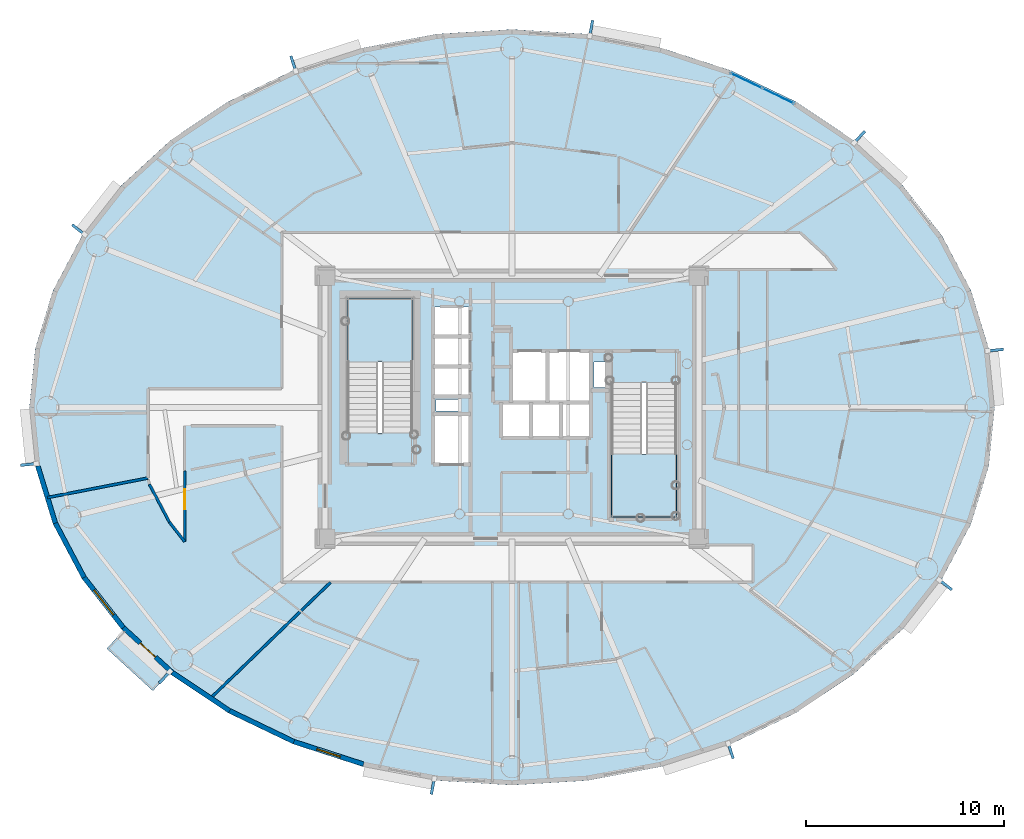
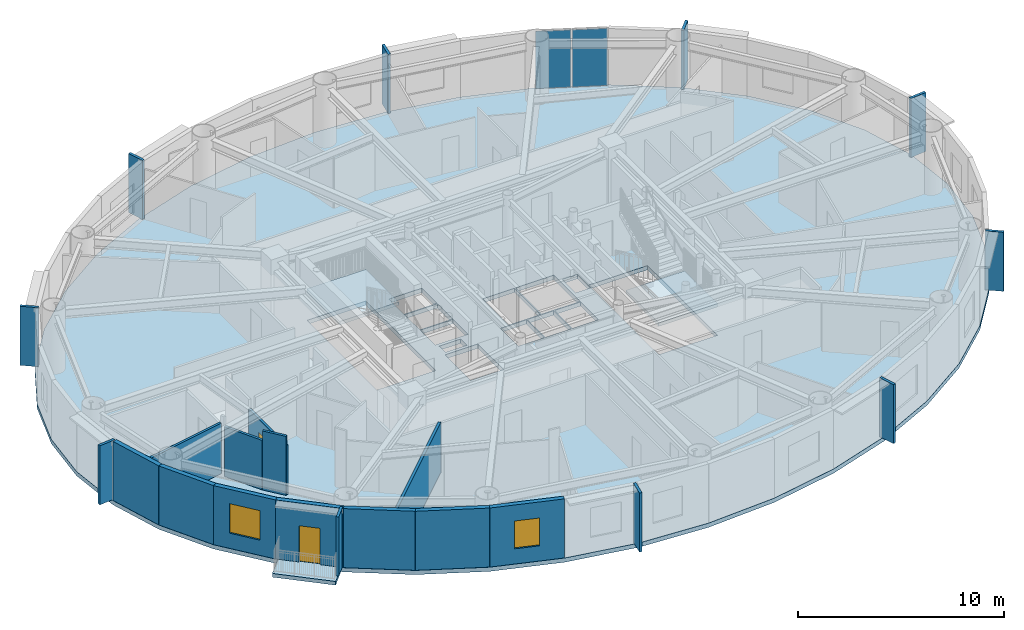
# One storey, part 5 of 16: 12 plates, 12 walls, 4 slabs, 2 doors, 2 windows, 4 openings, 3 elements without a shape of their own.
"""IFC4 building model written with IfcOpenShell, lengths in metres."""

from ifc_helpers import new_model, si_unit, direction, frame, frame_2d, origin, origin_2d, place, context, subcontext, project, spatial, polyline, rectangle, outline, extrude, source, transform, mapped, material, layer, layer_set, type_object, element, fill, aggregate, save


model = new_model("IFC4")

# Units and contexts
model_context = context("Model", 3, precision=1e-05, world=origin(), true_north=direction((0.0, 1.0)))
body_context = subcontext(model_context, "Body", "Model", "MODEL_VIEW")
ifc_project = project(units=[si_unit("LENGTHUNIT", "METRE"), si_unit("AREAUNIT", "SQUARE_METRE"), si_unit("VOLUMEUNIT", "CUBIC_METRE"), si_unit("PLANEANGLEUNIT", "RADIAN"), si_unit("MASSUNIT", "GRAM", prefix="KILO")], contexts=[model_context])

# Site, building, storey
site_placement = place(None, origin())
site = spatial("IfcSite", under=ifc_project, at=site_placement, CompositionType="ELEMENT")
building_placement = place(site_placement, origin())
building = spatial("IfcBuilding", under=site, at=building_placement, Name="Linh Dai School and Residence Tower", CompositionType="ELEMENT")
storey_placement = place(building_placement, frame((0.0, 0.0, 255.300048828125)))
storey = spatial("IfcBuildingStorey", under=building, at=storey_placement, Name="L63", CompositionType="ELEMENT", Elevation=255.300048828125)

# Slabs
ifc_material_1 = material(Name="Concrete B45 (C35/45)", Category="concrete")
ifc_layer_1 = layer(ifc_material_1, 0.219970703125)
ifc_layer_set_1 = layer_set([ifc_layer_1], Name="Concrete B45 (C35/45)")
slab_type_1 = type_object("IfcSlabType", Name="SLB-BALC-220", PredefinedType="FLOOR", material=ifc_layer_set_1)
slab_1_placement = place(storey_placement, frame((0.0, 0.0, -0.219970703125)))
element("IfcSlab", 1, at=slab_1_placement, inside=storey, type_object=slab_type_1, Name="L63 Sliding Balcony Slab 25", PredefinedType="FLOOR", context=body_context, shape_type="SweptSolid", body=[
    extrude(outline(polyline([(18.719482421875, 13.62353515625), (16.39501953125, 15.754638671875), (15.516357421875, 14.79638671875), (17.841064453125, 12.665283203125), (18.719482421875, 13.62353515625)])), origin(), (0.0, 0.0, 1.0), 0.219970703125),
])
ifc_layer_2 = layer(ifc_material_1, 0.25)
ifc_layer_set_2 = layer_set([ifc_layer_2], Name="Concrete B45 (C35/45)")
slab_type_2 = type_object("IfcSlabType", Name="SLB-FLR250", PredefinedType="FLOOR", material=ifc_layer_set_2)
slab_2_placement = place(storey_placement, frame((0.0, 0.0, -0.25)))
element("IfcSlab", 2, at=slab_2_placement, inside=storey, type_object=slab_type_2, Name="L63 Composite Structural Floor Slab", PredefinedType="FLOOR", context=body_context, shape_type="SweptSolid", body=[
    extrude(outline(polyline([(60.39990234375, 27.0), (60.099609375, 29.98876953125), (59.205810546875, 32.90380859375), (57.740478515625, 35.673583984375), (55.739990234375, 38.229736328125), (53.25341796875, 40.50927734375), (50.342041015625, 42.456298828125), (47.077392578125, 44.022705078125), (43.5400390625, 45.169921875), (39.81689453125, 45.869873046875), (36.0, 46.10498046875), (32.18310546875, 45.869873046875), (28.4599609375, 45.169921875), (24.922607421875, 44.022705078125), (21.657958984375, 42.456298828125), (18.74658203125, 40.50927734375), (16.260009765625, 38.229736328125), (14.259521484375, 35.673583984375), (12.794189453125, 32.90380859375), (11.900390625, 29.98876953125), (11.60009765625, 27.0), (11.900390625, 24.01123046875), (12.794189453125, 21.09619140625), (14.259521484375, 18.326416015625), (16.260009765625, 15.770263671875), (18.74658203125, 13.49072265625), (21.657958984375, 11.543701171875), (24.922607421875, 9.977294921875), (28.4599609375, 8.830078125), (32.18310546875, 8.130126953125), (36.0, 7.89501953125), (39.81689453125, 8.130126953125), (43.5400390625, 8.830078125), (47.077392578125, 9.977294921875), (50.342041015625, 11.543701171875), (53.25341796875, 13.49072265625), (55.739990234375, 15.770263671875), (57.740478515625, 18.326416015625), (59.205810546875, 21.09619140625), (60.099609375, 24.01123046875), (60.39990234375, 27.0)]), holes=[polyline([(30.97998046875, 25.699951171875), (30.97998046875, 32.5), (27.679931640625, 32.5), (27.679931640625, 25.699951171875), (30.97998046875, 25.699951171875)]), polyline([(41.02001953125, 28.25), (41.02001953125, 21.449951171875), (44.320068359375, 21.449951171875), (44.320068359375, 28.25), (41.02001953125, 28.25)]), polyline([(35.97998046875, 27.280029296875), (37.77001953125, 27.280029296875), (37.77001953125, 29.820068359375), (35.97998046875, 29.820068359375), (35.97998046875, 27.280029296875)]), polyline([(32.030029296875, 24.1298828125), (33.8701171875, 24.1298828125), (33.8701171875, 26.6201171875), (32.030029296875, 26.6201171875), (32.030029296875, 24.1298828125)]), polyline([(37.830078125, 27.280029296875), (39.969970703125, 27.280029296875), (39.969970703125, 29.820068359375), (37.830078125, 29.820068359375), (37.830078125, 27.280029296875)]), polyline([(32.030029296875, 27.580078125), (33.8701171875, 27.580078125), (33.8701171875, 29.030029296875), (32.030029296875, 29.030029296875), (32.030029296875, 27.580078125)]), polyline([(32.030029296875, 29.090087890625), (33.8701171875, 29.090087890625), (33.8701171875, 30.550048828125), (32.030029296875, 30.550048828125), (32.030029296875, 29.090087890625)]), polyline([(32.030029296875, 30.610107421875), (33.8701171875, 30.610107421875), (33.8701171875, 32.070068359375), (32.030029296875, 32.070068359375), (32.030029296875, 30.610107421875)]), polyline([(35.47998046875, 25.47998046875), (36.929931640625, 25.47998046875), (36.929931640625, 27.219970703125), (35.47998046875, 27.219970703125), (35.47998046875, 25.47998046875)]), polyline([(36.989990234375, 25.47998046875), (38.449951171875, 25.47998046875), (38.449951171875, 27.219970703125), (36.989990234375, 27.219970703125), (36.989990234375, 25.47998046875)]), polyline([(38.510009765625, 25.47998046875), (39.969970703125, 25.47998046875), (39.969970703125, 27.219970703125), (38.510009765625, 27.219970703125), (38.510009765625, 25.47998046875)]), polyline([(40.14990234375, 28.0), (40.14990234375, 29.300048828125), (41.0, 29.300048828125), (41.0, 28.280029296875), (40.989990234375, 28.280029296875), (40.989990234375, 28.0), (40.14990234375, 28.0)]), polyline([(32.14990234375, 26.800048828125), (33.35009765625, 26.800048828125), (33.35009765625, 27.39990234375), (32.14990234375, 27.39990234375), (32.14990234375, 26.800048828125)])]), origin(), (0.0, 0.0, 1.0), 0.25),
])

# Stair, slab
stair_type = type_object("IfcStairType", Name="ST-DOG-1550-R1442", PredefinedType="HALF_TURN_STAIR", material=ifc_material_1)
stair_1_placement = place(storey_placement, origin())
stair_1 = element("IfcStair", 3, at=stair_1_placement, inside=storey, type_object=stair_type, Name="L63 Core Smokeproof Exit Stair ST1", PredefinedType="HALF_TURN_STAIR")
ifc_layer_3 = layer(ifc_material_1, 0.199951171875)
ifc_layer_set_3 = layer_set([ifc_layer_3], Name="Concrete B45 (C35/45)")
slab_type_3 = type_object("IfcSlabType", Name="SLB-ST-LANDING-200", PredefinedType="LANDING", material=ifc_layer_set_3)
slab_3_placement = place(storey_placement, frame((0.0, 0.0, 1.675048828125)))
slab_3 = element("IfcSlab", 4, at=slab_3_placement, type_object=slab_type_3, Name="ST1 landing 1", PredefinedType="LANDING", context=body_context, shape_type="SweptSolid", body=[
    extrude(outline(polyline([(30.97998046875, 29.300048828125), (30.97998046875, 32.5), (27.679931640625, 32.5), (27.679931640625, 29.300048828125), (30.97998046875, 29.300048828125)])), origin(), (0.0, 0.0, 1.0), 0.199951171875),
])
aggregate(stair_1, [slab_3])

stair_2_placement = place(storey_placement, origin())
stair_2 = element("IfcStair", 5, at=stair_2_placement, inside=storey, type_object=stair_type, Name="L63 Core Smokeproof Exit Stair ST2", PredefinedType="HALF_TURN_STAIR")
slab_4_placement = place(storey_placement, frame((0.0, 0.0, 1.675048828125)))
slab_4 = element("IfcSlab", 6, at=slab_4_placement, type_object=slab_type_3, Name="ST2 landing 1", PredefinedType="LANDING", context=body_context, shape_type="SweptSolid", body=[
    extrude(outline(polyline([(41.02001953125, 24.64990234375), (41.02001953125, 21.449951171875), (44.320068359375, 21.449951171875), (44.320068359375, 24.64990234375), (41.02001953125, 24.64990234375)])), origin(), (0.0, 0.0, 1.0), 0.199951171875),
])
aggregate(stair_2, [slab_4])

# Plates
ifc_material_2 = material(Name="Precast Concrete B45 (C35/45)", Category="concrete")
ifc_layer_4 = layer(ifc_material_2, 0.139892578125)
ifc_layer_set_4 = layer_set([ifc_layer_4], Name="Precast Concrete B45 (C35/45)")
plate_type_1 = type_object("IfcPlateType", Name="FIN-TC-900x140", PredefinedType="USERDEFINED", material=ifc_layer_set_4)
shared_shape_1 = source(origin(), body_context, "Body", "SweptSolid", [
    extrude(rectangle(XDim=0.89990234375, YDim=0.139892578125, at=origin_2d()), origin(), (0.0, 0.0, 1.0), 3.5),
])
for number, where, z_axis, x_axis, name in (
    (7, (60.39697265625, 29.885498046875, 0.0), (0.0, 0.0, 1.0), (0.99498620644, 0.100012244219, 0.0), "L63 Precast Terracotta Radial Fin 01"),
    (8, (53.541748046875, 40.632080078125, 0.0), (0.0, 0.0, 1.0), (0.675757574408, 0.737123938446, 0.0), "L63 Precast Terracotta Radial Fin 05"),
    (9, (39.995361328125, 46.12646484375, 0.0), (0.0, 0.0, 1.0), (0.18474448537, 0.982786586765, 0.0), "L63 Precast Terracotta Radial Fin 09"),
    (10, (24.95654296875, 44.33349609375, 0.0), (0.0, 0.0, 1.0), (-0.308501065272, 0.951223997135, 0.0), "L63 Precast Terracotta Radial Fin 13"),
    (11, (14.115234375, 35.952392578125, 0.0), (0.0, 0.0, 1.0), (-0.787486677066, 0.616331674867, 0.0), "L63 Precast Terracotta Radial Fin 17"),
    (12, (11.60302734375, 24.114501953125, 0.0), (0.0, 0.0, 1.0), (-0.99498620644, -0.100012244219, 0.0), "L63 Precast Terracotta Radial Fin 21"),
    (13, (18.458251953125, 13.367919921875, 0.0), (0.0, 0.0, 1.0), (-0.675756089102, -0.737125300096, 0.0), "L63 Precast Terracotta Radial Fin 25"),
    (14, (32.004638671875, 7.87353515625, 0.0), (0.0, 0.0, 1.0), (-0.18474448537, -0.982786586765, 0.0), "L63 Precast Terracotta Radial Fin 29"),
    (15, (47.04345703125, 9.66650390625, 0.0), (0.0, 0.0, 1.0), (0.308501065272, -0.951223997135, 0.0), "L63 Precast Terracotta Radial Fin 33"),
    (16, (57.884765625, 18.047607421875, 0.0), (0.0, 0.0, 1.0), (0.787485171888, -0.616333598027, 0.0), "L63 Precast Terracotta Radial Fin 37"),
):
    element("IfcPlate", number, at=place(storey_placement, frame(where, z_axis=z_axis, x_axis=x_axis)), inside=storey, type_object=plate_type_1, Name=name, ObjectType="RADIAL FIN", PredefinedType="USERDEFINED", context=body_context, shape_type="MappedRepresentation", body=[
        mapped(shared_shape_1, transform((0.0, 0.0, 0.0), x_axis=(1.0, 0.0, 0.0), y_axis=(0.0, 1.0, 0.0), z_axis=(0.0, 0.0, 1.0), scale=1.0)),
    ])

# Curtain wall, plates
ifc_material_3 = material(Name="Aluminium Anodised Curtain Wall", Category="aluminium")
ifc_layer_5 = layer(ifc_material_3, 0.14990234375)
ifc_layer_set_5 = layer_set([ifc_layer_5], Name="Aluminium Anodised Curtain Wall")
curtain_wall_type = type_object("IfcCurtainWallType", Name="CW-SYS-4", PredefinedType="USERDEFINED", material=ifc_layer_set_5)
curtain_wall_placement = place(storey_placement, origin())
curtain_wall = element("IfcCurtainWall", 17, at=curtain_wall_placement, inside=storey, type_object=curtain_wall_type, Name="L63 CW4 Curtain Wall 07", ObjectType="RIBBON CURTAIN WALL", PredefinedType="USERDEFINED")
ifc_material_4 = material(Name="Double Low-E Insulated Glazing", Category="glass")
ifc_layer_6 = layer(ifc_material_4, 0.02587890625)
ifc_layer_set_6 = layer_set([ifc_layer_6], Name="Double Low-E Insulated Glazing")
plate_type_2 = type_object("IfcPlateType", Name="CW-SYS-4-PAN", PredefinedType="CURTAIN_PANEL", material=ifc_layer_set_6)
shared_shape_2 = source(origin(), body_context, "Body", "SweptSolid", [
    extrude(rectangle(XDim=1.723876953125, YDim=0.02587890625, at=origin_2d()), origin(), (0.0, 0.0, 1.0), 3.39599609375),
])
plate_1_placement = place(storey_placement, frame((47.85498046875, 43.51123046875, 0.052001953125), z_axis=(0.0, 0.0, 1.0), x_axis=(0.901588864931, -0.432593941973, 0.0)))
plate_1 = element("IfcPlate", 18, at=plate_1_placement, type_object=plate_type_2, Name="CW4 panel 1.1", PredefinedType="CURTAIN_PANEL", context=body_context, shape_type="MappedRepresentation", body=[
    mapped(shared_shape_2, transform((0.0, 0.0, 0.0), x_axis=(1.0, 0.0, 0.0), y_axis=(0.0, 1.0, 0.0), z_axis=(0.0, 0.0, 1.0), scale=1.0)),
])
plate_2_placement = place(storey_placement, frame((49.4560546875, 42.742919921875, 0.052001953125), z_axis=(0.0, 0.0, 1.0), x_axis=(0.901588864931, -0.432593941973, 0.0)))
plate_2 = element("IfcPlate", 19, at=plate_2_placement, type_object=plate_type_2, Name="CW4 panel 2.1", PredefinedType="CURTAIN_PANEL", context=body_context, shape_type="MappedRepresentation", body=[
    mapped(shared_shape_2, transform((0.0, 0.0, 0.0), x_axis=(1.0, 0.0, 0.0), y_axis=(0.0, 1.0, 0.0), z_axis=(0.0, 0.0, 1.0), scale=1.0)),
])
aggregate(curtain_wall, [plate_1, plate_2])

# Walls
ifc_layer_7 = layer(ifc_material_2, 0.239990234375)
ifc_layer_set_7 = layer_set([ifc_layer_7], Name="Precast Concrete B45 (C35/45)")
wall_type_1 = type_object("IfcWallType", Name="EW-TC-240", PredefinedType="SOLIDWALL", material=ifc_layer_set_7)
wall_1_placement = place(storey_placement, frame((12.90966796875, 21.14404296875, 0.0), z_axis=(0.0, 0.0, 1.0), x_axis=(-0.293132907334, 0.95607170162, 0.0)))
element("IfcWall", 20, at=wall_1_placement, inside=storey, type_object=wall_type_1, Name="L63 Terracotta Exterior Wall 22", PredefinedType="SOLIDWALL", context=body_context, shape_type="SweptSolid", body=[
    extrude(rectangle(XDim=3.02490234375, YDim=0.239990234375, at=frame_2d((1.512451171875, 0.0))), origin(), (0.0, 0.0, 1.0), 3.5),
])
wall_2_placement = place(storey_placement, frame((14.3642578125, 18.394775390625, 0.0), z_axis=(0.0, 0.0, 1.0), x_axis=(-0.46766049993, 0.883908172157, 0.0)))
element("IfcWall", 21, at=wall_2_placement, inside=storey, type_object=wall_type_1, Name="L63 Terracotta Exterior Wall 23", PredefinedType="SOLIDWALL", context=body_context, shape_type="SweptSolid", body=[
    extrude(rectangle(XDim=3.1103515625, YDim=0.239990234375, at=frame_2d((1.55517578125, 0.0))), origin(), (0.0, 0.0, 1.0), 3.5),
])

# Wall, opening, window
wall_3_placement = place(storey_placement, frame((16.3515625, 15.85546875, 0.0), z_axis=(0.0, 0.0, 1.0), x_axis=(-0.616312344705, 0.787501805562, 0.0)))
wall_3 = element("IfcWall", 22, at=wall_3_placement, inside=storey, type_object=wall_type_1, Name="L63 Terracotta Exterior Wall 24", PredefinedType="SOLIDWALL", context=body_context, shape_type="SweptSolid", body=[
    extrude(rectangle(XDim=3.224609375, YDim=0.239990234375, at=frame_2d((1.6123046875, 0.0))), origin(), (0.0, 0.0, 1.0), 3.5),
])
opening_1_placement = place(wall_3_placement, frame((0.81201171875, 0.0, 0.89990234375)))
opening_1 = element("IfcOpeningElement", 23, at=opening_1_placement, cuts=wall_3, Name="Opening W2", PredefinedType="OPENING", context=body_context, shape_type="SweptSolid", body=[
    extrude(rectangle(XDim=1.60009765625, YDim=1.75, at=origin_2d()), frame((0.800048828125, 0.1298828125, 0.875), z_axis=(0.0, -1.0, 0.0), x_axis=(1.0, 0.0, 0.0)), (0.0, 0.0, 1.0), 0.260009765625),
])
window_type_1 = type_object("IfcWindowType", Name="WN-RES-1600x1750", PartitioningType="DOUBLE_PANEL_VERTICAL", PredefinedType="WINDOW", material=ifc_material_4)
shared_shape_3 = source(origin(), body_context, "Body", "SweptSolid", [
    extrude(rectangle(XDim=1.60009765625, YDim=1.75, at=origin_2d()), frame((0.800048828125, 0.030029296875, 0.875), z_axis=(0.0, -1.0, 0.0), x_axis=(1.0, 0.0, 0.0)), (0.0, 0.0, 1.0), 0.06005859375),
])
window_1_placement = place(opening_1_placement, origin())
window_1 = element("IfcWindow", 24, at=window_1_placement, inside=storey, type_object=window_type_1, Name="L63 Exterior Window 24.1", OverallHeight=1.75, OverallWidth=1.60009765625, PartitioningType="DOUBLE_PANEL_VERTICAL", PredefinedType="WINDOW", context=body_context, shape_type="MappedRepresentation", body=[
    mapped(shared_shape_3, transform((0.0, 0.0, 0.0), x_axis=(1.0, 0.0, 0.0), y_axis=(0.0, 1.0, 0.0), z_axis=(0.0, 0.0, 1.0), scale=1.0)),
])
fill(opening_1, window_1)

# Wall, opening, door
wall_4_placement = place(storey_placement, frame((18.82373046875, 13.589111328125, 0.0), z_axis=(0.0, 0.0, 1.0), x_axis=(-0.737123922599, 0.675757591694, 0.0)))
wall_4 = element("IfcWall", 25, at=wall_4_placement, inside=storey, type_object=wall_type_1, Name="L63 Terracotta Exterior Wall 25", PredefinedType="SOLIDWALL", context=body_context, shape_type="SweptSolid", body=[
    extrude(rectangle(XDim=3.353759765625, YDim=0.239990234375, at=frame_2d((1.6767578125, 0.0))), origin(), (0.0, 0.0, 1.0), 3.5),
])
opening_2_placement = place(wall_4_placement, frame((1.15185546875, 0.0, 0.0)))
opening_2 = element("IfcOpeningElement", 26, at=opening_2_placement, cuts=wall_4, Name="Opening BD1", PredefinedType="OPENING", context=body_context, shape_type="SweptSolid", body=[
    extrude(rectangle(XDim=1.050048828125, YDim=2.14990234375, at=origin_2d()), frame((0.52490234375, 0.1298828125, 1.074951171875), z_axis=(0.0, -1.0, 0.0), x_axis=(1.0, 0.0, 0.0)), (0.0, 0.0, 1.0), 0.260009765625),
])
ifc_material_5 = material(Name="Double-Glazed Balcony Door", Category="glass")
door_type_1 = type_object("IfcDoorType", Name="DR-BALC-1050x2150", OperationType="NOTDEFINED", PredefinedType="DOOR", material=ifc_material_5)
shared_shape_4 = source(origin(), body_context, "Body", "SweptSolid", [
    extrude(rectangle(XDim=1.050048828125, YDim=2.14990234375, at=origin_2d()), frame((0.52490234375, 0.02490234375, 1.074951171875), z_axis=(0.0, -1.0, 0.0), x_axis=(1.0, 0.0, 0.0)), (0.0, 0.0, 1.0), 0.050048828125),
])
door_1_placement = place(opening_2_placement, origin())
door_1 = element("IfcDoor", 27, at=door_1_placement, inside=storey, type_object=door_type_1, Name="L63 Glazed Balcony Door 25", OperationType="SINGLE_SWING_LEFT", OverallHeight=2.14990234375, OverallWidth=1.050048828125, PredefinedType="DOOR", context=body_context, shape_type="MappedRepresentation", body=[
    mapped(shared_shape_4, transform((0.0, 0.0, 0.0), x_axis=(1.0, 0.0, 0.0), y_axis=(0.0, 1.0, 0.0), z_axis=(0.0, 0.0, 1.0), scale=1.0)),
])
fill(opening_2, door_1)

# Walls
wall_5_placement = place(storey_placement, frame((21.719970703125, 11.65234375, 0.0), z_axis=(0.0, 0.0, 1.0), x_axis=(-0.831262496074, 0.555880079352, 0.0)))
element("IfcWall", 28, at=wall_5_placement, inside=storey, type_object=wall_type_1, Name="L63 Terracotta Exterior Wall 26", PredefinedType="SOLIDWALL", context=body_context, shape_type="SweptSolid", body=[
    extrude(rectangle(XDim=3.484130859375, YDim=0.239990234375, at=frame_2d((1.7421875, 0.0))), origin(), (0.0, 0.0, 1.0), 3.5),
])
wall_6_placement = place(storey_placement, frame((24.968994140625, 10.093505859375, 0.0), z_axis=(0.0, 0.0, 1.0), x_axis=(-0.901598104751, 0.432574684313, 0.0)))
element("IfcWall", 29, at=wall_6_placement, inside=storey, type_object=wall_type_1, Name="L63 Terracotta Exterior Wall 27", PredefinedType="SOLIDWALL", context=body_context, shape_type="SweptSolid", body=[
    extrude(rectangle(XDim=3.603515625, YDim=0.239990234375, at=frame_2d((1.8017578125, 0.0))), origin(), (0.0, 0.0, 1.0), 3.5),
])

# Wall, opening, window
wall_7_placement = place(storey_placement, frame((28.49072265625, 8.951171875, 0.0), z_axis=(0.0, 0.0, 1.0), x_axis=(-0.951210789182, 0.308541787354, 0.0)))
wall_7 = element("IfcWall", 30, at=wall_7_placement, inside=storey, type_object=wall_type_1, Name="L63 Terracotta Exterior Wall 28", PredefinedType="SOLIDWALL", context=body_context, shape_type="SweptSolid", body=[
    extrude(rectangle(XDim=3.702392578125, YDim=0.239990234375, at=frame_2d((1.85107421875, 0.0))), origin(), (0.0, 0.0, 1.0), 3.5),
])
opening_3_placement = place(wall_7_placement, frame((1.226318359375, 0.0, 0.89990234375)))
opening_3 = element("IfcOpeningElement", 31, at=opening_3_placement, cuts=wall_7, Name="Opening W3", PredefinedType="OPENING", context=body_context, shape_type="SweptSolid", body=[
    extrude(rectangle(XDim=1.25, YDim=1.64990234375, at=origin_2d()), frame((0.625, 0.1298828125, 0.824951171875), z_axis=(0.0, -1.0, 0.0), x_axis=(1.0, 0.0, 0.0)), (0.0, 0.0, 1.0), 0.260009765625),
])
window_type_2 = type_object("IfcWindowType", Name="WN-RES-1250x1650", PartitioningType="SINGLE_PANEL", PredefinedType="WINDOW", material=ifc_material_4)
shared_shape_5 = source(origin(), body_context, "Body", "SweptSolid", [
    extrude(rectangle(XDim=1.25, YDim=1.64990234375, at=origin_2d()), frame((0.625, 0.030029296875, 0.824951171875), z_axis=(0.0, -1.0, 0.0), x_axis=(1.0, 0.0, 0.0)), (0.0, 0.0, 1.0), 0.06005859375),
])
window_2_placement = place(opening_3_placement, origin())
window_2 = element("IfcWindow", 32, at=window_2_placement, inside=storey, type_object=window_type_2, Name="L63 Dwelling Window U6302-BD1", OverallHeight=1.64990234375, OverallWidth=1.25, PartitioningType="SINGLE_PANEL", PredefinedType="WINDOW", context=body_context, shape_type="MappedRepresentation", body=[
    mapped(shared_shape_5, transform((0.0, 0.0, 0.0), x_axis=(1.0, 0.0, 0.0), y_axis=(0.0, 1.0, 0.0), z_axis=(0.0, 0.0, 1.0), scale=1.0)),
])
fill(opening_3, window_2)

# Walls
ifc_material_6 = material(Name="Autoclaved Aerated Concrete Blockwork", Category="masonry")
ifc_layer_8 = layer(ifc_material_6, 0.135009765625)
ifc_layer_set_8 = layer_set([ifc_layer_8], Name="Autoclaved Aerated Concrete Blockwork")
wall_type_2 = type_object("IfcWallType", Name="IW-CORR-135-EI90", PredefinedType="PARTITIONING", material=ifc_layer_set_8)
wall_8_placement = place(storey_placement, frame((12.509033203125, 22.433837890625, 0.0), z_axis=(0.0, 0.0, 1.0), x_axis=(0.981630821079, 0.190790280431, 0.0)))
element("IfcWall", 33, at=wall_8_placement, inside=storey, type_object=wall_type_2, Name="L63 Interior Partition Wall 002", PredefinedType="PARTITIONING", context=body_context, shape_type="SweptSolid", body=[
    extrude(rectangle(XDim=5.186279296875, YDim=0.135009765625, at=frame_2d((2.59326171875, 0.0))), origin(), (0.0, 0.0, 1.0), 2.98486328125),
])
wall_9_placement = place(storey_placement, frame((17.66650390625, 23.111083984375, 0.0), z_axis=(0.0, 0.0, 1.0), x_axis=(0.467675622269, -0.883900171024, 0.0)))
element("IfcWall", 34, at=wall_9_placement, inside=storey, type_object=wall_type_2, Name="L63 Interior Partition Wall 006", PredefinedType="PARTITIONING", context=body_context, shape_type="SweptSolid", body=[
    extrude(rectangle(XDim=2.16845703125, YDim=0.135009765625, at=frame_2d((1.084228515625, 0.0))), origin(), (0.0, 0.0, 1.0), 2.93505859375),
])
wall_10_placement = place(storey_placement, frame((18.6806640625, 21.1943359375, 0.0), z_axis=(0.0, 0.0, 1.0), x_axis=(0.616239706802, -0.787558647823, 0.0)))
element("IfcWall", 35, at=wall_10_placement, inside=storey, type_object=wall_type_2, Name="L63 Interior Partition Wall 008", PredefinedType="PARTITIONING", context=body_context, shape_type="SweptSolid", body=[
    extrude(rectangle(XDim=1.248291015625, YDim=0.135009765625, at=frame_2d((0.6240234375, 0.0))), origin(), (0.0, 0.0, 1.0), 3.5),
])

# Wall, opening, door
wall_11_placement = place(storey_placement, frame((19.449951171875, 20.211181640625, 0.0), z_axis=(0.0, 0.0, 1.0), x_axis=(0.0, 1.0, 0.0)))
wall_11 = element("IfcWall", 36, at=wall_11_placement, inside=storey, type_object=wall_type_2, Name="L63 Interior Partition Wall 009", PredefinedType="PARTITIONING", context=body_context, shape_type="SweptSolid", body=[
    extrude(rectangle(XDim=3.57177734375, YDim=0.135009765625, at=frame_2d((1.785888671875, 0.0))), origin(), (0.0, 0.0, 1.0), 2.93505859375),
])
opening_4_placement = place(wall_11_placement, frame((1.6357421875, 0.0, 0.0)))
opening_4 = element("IfcOpeningElement", 37, at=opening_4_placement, cuts=wall_11, Name="Opening D03", PredefinedType="OPENING", context=body_context, shape_type="SweptSolid", body=[
    extrude(rectangle(XDim=1.0, YDim=2.14990234375, at=origin_2d()), frame((0.5, 0.07763671875, 1.074951171875), z_axis=(0.0, -1.0, 0.0), x_axis=(1.0, 0.0, 0.0)), (0.0, 0.0, 1.0), 0.155029296875),
])
ifc_material_7 = material(Name="Fire-Rated Solid Timber Entrance Door", Category="wood")
door_type_2 = type_object("IfcDoorType", Name="DR-FLAT-1000x2150-FD60S", OperationType="NOTDEFINED", PredefinedType="DOOR", material=ifc_material_7)
shared_shape_6 = source(origin(), body_context, "Body", "SweptSolid", [
    extrude(rectangle(XDim=1.0, YDim=2.14990234375, at=origin_2d()), frame((0.5, 0.02490234375, 1.074951171875), z_axis=(0.0, -1.0, 0.0), x_axis=(1.0, 0.0, 0.0)), (0.0, 0.0, 1.0), 0.050048828125),
])
door_2_placement = place(opening_4_placement, origin())
door_2 = element("IfcDoor", 38, at=door_2_placement, inside=storey, type_object=door_type_2, Name="L63 U6301 Apartment Entrance Door", OperationType="SINGLE_SWING_RIGHT", OverallHeight=2.14990234375, OverallWidth=1.0, PredefinedType="DOOR", context=body_context, shape_type="MappedRepresentation", body=[
    mapped(shared_shape_6, transform((0.0, 0.0, 0.0), x_axis=(1.0, 0.0, 0.0), y_axis=(0.0, 1.0, 0.0), z_axis=(0.0, 0.0, 1.0), scale=1.0)),
])
fill(opening_4, door_2)

# Wall
wall_12_placement = place(storey_placement, frame((20.756103515625, 12.290771484375, 0.0), z_axis=(0.0, 0.0, 1.0), x_axis=(0.719623273788, 0.694364705196, 0.0)))
element("IfcWall", 39, at=wall_12_placement, inside=storey, type_object=wall_type_2, Name="L63 Interior Partition Wall 010", PredefinedType="PARTITIONING", context=body_context, shape_type="SweptSolid", body=[
    extrude(rectangle(XDim=8.438232421875, YDim=0.135009765625, at=frame_2d((4.21923828125, 0.0))), origin(), (0.0, 0.0, 1.0), 2.98486328125),
])

save(model, "model.ifc")
